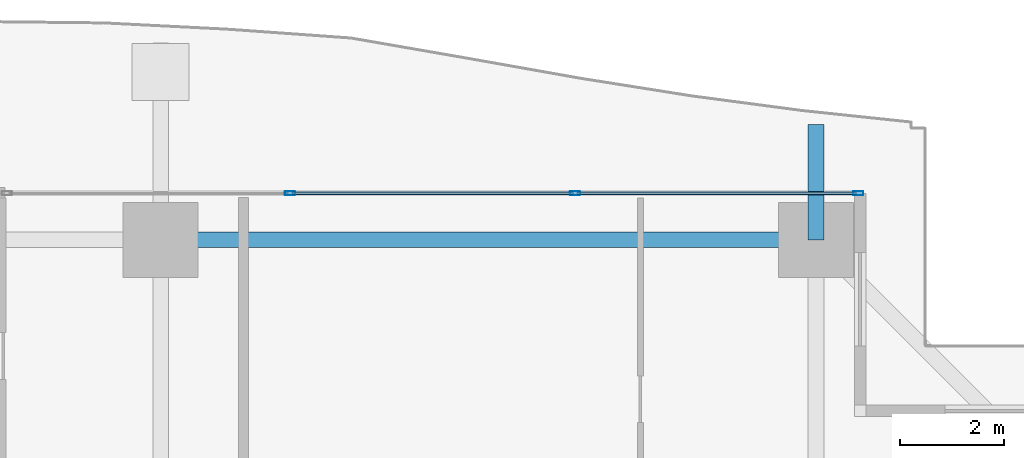
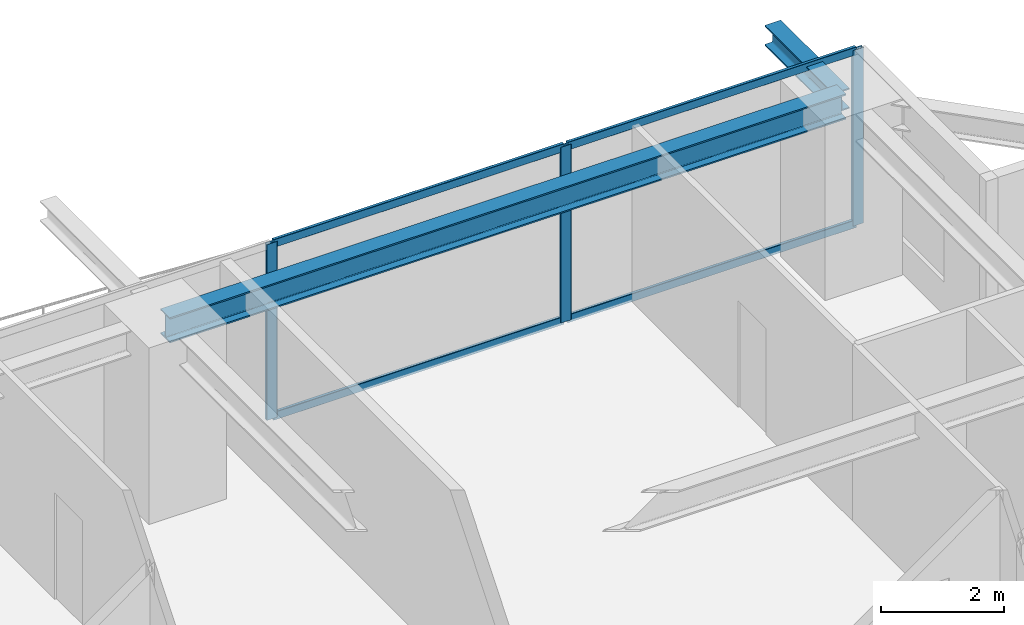
# One storey, part 24 of 38: 7 members, 2 beams, 1 element without a shape of its own.
"""IFC4 building model written with IfcOpenShell, lengths in metres."""

from ifc_helpers import new_model, si_unit, direction, frame, origin, origin_2d, place, context, subcontext, project, spatial, hollow_rectangle, i_section, extrude, source, transform, mapped, material, layer, layer_set, material_profile, profile_set, type_object, element, aggregate, save


model = new_model("IFC4")

# Units and contexts
model_context = context("Model", 3, precision=1e-05, world=origin(), true_north=direction((0.0, 1.0)))
body_context = subcontext(model_context, "Body", "Model", "MODEL_VIEW")
ifc_project = project(units=[si_unit("LENGTHUNIT", "METRE"), si_unit("AREAUNIT", "SQUARE_METRE"), si_unit("VOLUMEUNIT", "CUBIC_METRE"), si_unit("PLANEANGLEUNIT", "RADIAN"), si_unit("MASSUNIT", "GRAM", prefix="KILO")], contexts=[model_context])

# Site, building, storey
site_placement = place(None, origin())
site = spatial("IfcSite", under=ifc_project, at=site_placement, CompositionType="ELEMENT")
building_placement = place(site_placement, origin())
building = spatial("IfcBuilding", under=site, at=building_placement, Name="Serunith Strait Residences", CompositionType="ELEMENT")
storey_placement = place(building_placement, frame((0.0, 0.0, 30.449951171875)))
storey = spatial("IfcBuildingStorey", under=building, at=storey_placement, Name="L06", CompositionType="ELEMENT", Elevation=30.449951171875)

# Beams
ifc_material_1 = material(Name="Steel S355J2", Category="steel")
ifc_material_profile_1 = material_profile(ifc_material_1, i_section(OverallWidth=0.300048828125, OverallDepth=0.5, WebThickness=0.014404296875, FlangeThickness=0.028076171875, FilletRadius=0.027099609375, at=origin_2d()), Name="HEB 500")
ifc_profile_set_1 = profile_set([ifc_material_profile_1], Name="Steel S355J2")
beam_type_1 = type_object("IfcBeamType", Name="BM-HEB500", PredefinedType="BEAM", material=ifc_profile_set_1)
shared_shape_1 = source(origin(), body_context, "Body", "SweptSolid", [
    extrude(i_section(OverallWidth=0.300048828125, OverallDepth=0.5, WebThickness=0.014404296875, FlangeThickness=0.028076171875, FilletRadius=0.027099609375, at=origin_2d()), origin(), (0.0, 0.0, 1.0), 12.650146484375),
])
beam_1_placement = place(storey_placement, frame((49.550048828125, 49.300048828125, 3.237060546875), z_axis=(-1.0, 0.0, 0.0), x_axis=(0.0, -1.0, 0.0)))
element("IfcBeam", 1, at=beam_1_placement, inside=storey, type_object=beam_type_1, Name="L06 Perimeter Ring Beam 09", PredefinedType="BEAM", context=body_context, shape_type="MappedRepresentation", body=[
    mapped(shared_shape_1, transform((0.0, 0.0, 0.0), scale=1.0)),
])
ifc_material_profile_2 = material_profile(ifc_material_1, i_section(OverallWidth=0.300048828125, OverallDepth=0.39990234375, WebThickness=0.013427734375, FlangeThickness=0.02392578125, FilletRadius=0.027099609375, at=origin_2d()), Name="HEB 400")
ifc_profile_set_2 = profile_set([ifc_material_profile_2], Name="Steel S355J2")
beam_type_2 = type_object("IfcBeamType", Name="BM-HEB400", PredefinedType="BEAM", material=ifc_profile_set_2)
shared_shape_2 = source(origin(), body_context, "Body", "SweptSolid", [
    extrude(i_section(OverallWidth=0.300048828125, OverallDepth=0.39990234375, WebThickness=0.013427734375, FlangeThickness=0.02392578125, FilletRadius=0.027099609375, at=origin_2d()), origin(), (0.0, 0.0, 1.0), 2.2236328125),
])
beam_2_placement = place(storey_placement, frame((49.550048828125, 49.300048828125, 3.257080078125), z_axis=(0.0, 1.0, 0.0), x_axis=(-1.0, 0.0, 0.0)))
element("IfcBeam", 2, at=beam_2_placement, inside=storey, type_object=beam_type_2, Name="L07 Cantilevered Balcony Rib TC-N4", PredefinedType="BEAM", context=body_context, shape_type="MappedRepresentation", body=[
    mapped(shared_shape_2, transform((0.0, 0.0, 0.0), scale=1.0)),
])

# Curtain wall, members
ifc_material_2 = material(Name="Pale-Champagne Anodised Aluminium", Category="aluminium")
ifc_layer = layer(ifc_material_2, 0.199951171875, Name="Pale-Champagne Anodised Aluminium")
ifc_layer_set = layer_set([ifc_layer], Name="Pale-Champagne Anodised Aluminium")
curtain_wall_type = type_object("IfcCurtainWallType", Name="CW-SYS1", PredefinedType="NOTDEFINED", material=ifc_layer_set)
curtain_wall_placement = place(storey_placement, origin())
curtain_wall = element("IfcCurtainWall", 3, at=curtain_wall_placement, inside=storey, type_object=curtain_wall_type, Name="L06 N Unitised Fritted Curtain Wall", PredefinedType="NOTDEFINED")
ifc_material_profile_3 = material_profile(ifc_material_2, hollow_rectangle(XDim=0.070068359375, YDim=0.199951171875, WallThickness=0.00390625, InnerFilletRadius=0.006103515625, OuterFilletRadius=0.010009765625, at=origin_2d()), Name="ALU 200x70x4")
ifc_profile_set_3 = profile_set([ifc_material_profile_3], Name="Pale-Champagne Anodised Aluminium")
member_type_1 = type_object("IfcMemberType", Name="CW-SYS1-MULL", PredefinedType="MULLION", material=ifc_profile_set_3)
shared_shape_3 = source(origin(), body_context, "Body", "SweptSolid", [
    extrude(hollow_rectangle(XDim=0.070068359375, YDim=0.199951171875, WallThickness=0.00390625, InnerFilletRadius=0.006103515625, OuterFilletRadius=0.010009765625, at=origin_2d()), origin(), (0.0, 0.0, 1.0), 3.47509765625),
])
member_1_placement = place(storey_placement, frame((50.364990234375, 50.199951171875, 0.0), z_axis=(0.0, 0.0, 1.0), x_axis=(0.0, -1.0, 0.0)))
member_1 = element("IfcMember", 4, at=member_1_placement, type_object=member_type_1, Name="CW-1 mullion 1", PredefinedType="MULLION", context=body_context, shape_type="MappedRepresentation", body=[
    mapped(shared_shape_3, transform((0.0, 0.0, 0.0), scale=1.0)),
])
member_2_placement = place(storey_placement, frame((44.89990234375, 50.199951171875, 0.0), z_axis=(0.0, 0.0, 1.0), x_axis=(0.0, -1.0, 0.0)))
member_2 = element("IfcMember", 5, at=member_2_placement, type_object=member_type_1, Name="CW-1 mullion 2", PredefinedType="MULLION", context=body_context, shape_type="MappedRepresentation", body=[
    mapped(shared_shape_3, transform((0.0, 0.0, 0.0), scale=1.0)),
])
member_3_placement = place(storey_placement, frame((39.39990234375, 50.199951171875, 0.0), z_axis=(0.0, 0.0, 1.0), x_axis=(0.0, -1.0, 0.0)))
member_3 = element("IfcMember", 6, at=member_3_placement, type_object=member_type_1, Name="CW-1 mullion 3", PredefinedType="MULLION", context=body_context, shape_type="MappedRepresentation", body=[
    mapped(shared_shape_3, transform((0.0, 0.0, 0.0), scale=1.0)),
])
ifc_material_profile_4 = material_profile(ifc_material_2, hollow_rectangle(XDim=0.06005859375, YDim=0.159912109375, WallThickness=0.00341796875, InnerFilletRadius=0.00537109375, OuterFilletRadius=0.0087890625, at=origin_2d()), Name="ALU 160x60x3.5")
ifc_profile_set_4 = profile_set([ifc_material_profile_4], Name="Pale-Champagne Anodised Aluminium")
member_type_2 = type_object("IfcMemberType", Name="CW-SYS1-TRAN", PredefinedType="USERDEFINED", material=ifc_profile_set_4)
shared_shape_4 = source(origin(), body_context, "Body", "SweptSolid", [
    extrude(hollow_rectangle(XDim=0.06005859375, YDim=0.159912109375, WallThickness=0.00341796875, InnerFilletRadius=0.00537109375, OuterFilletRadius=0.0087890625, at=origin_2d()), origin(), (0.0, 0.0, 1.0), 5.39501953125),
])
member_4_placement = place(storey_placement, frame((50.330078125, 50.199951171875, 0.030029296875), z_axis=(-1.0, 0.0, 0.0), x_axis=(0.0, -1.0, 0.0)))
member_4 = element("IfcMember", 7, at=member_4_placement, type_object=member_type_2, Name="CW-1 transom 1.1", ObjectType="TRANSOM", PredefinedType="USERDEFINED", context=body_context, shape_type="MappedRepresentation", body=[
    mapped(shared_shape_4, transform((0.0, 0.0, 0.0), scale=1.0)),
])
member_5_placement = place(storey_placement, frame((50.330078125, 50.199951171875, 3.445068359375), z_axis=(-1.0, 0.0, 0.0), x_axis=(0.0, -1.0, 0.0)))
member_5 = element("IfcMember", 8, at=member_5_placement, type_object=member_type_2, Name="CW-1 transom 1.2", ObjectType="TRANSOM", PredefinedType="USERDEFINED", context=body_context, shape_type="MappedRepresentation", body=[
    mapped(shared_shape_4, transform((0.0, 0.0, 0.0), scale=1.0)),
])
shared_shape_5 = source(origin(), body_context, "Body", "SweptSolid", [
    extrude(hollow_rectangle(XDim=0.06005859375, YDim=0.159912109375, WallThickness=0.00341796875, InnerFilletRadius=0.00537109375, OuterFilletRadius=0.0087890625, at=origin_2d()), origin(), (0.0, 0.0, 1.0), 5.429931640625),
])
member_6_placement = place(storey_placement, frame((44.864990234375, 50.199951171875, 0.030029296875), z_axis=(-1.0, 0.0, 0.0), x_axis=(0.0, -1.0, 0.0)))
member_6 = element("IfcMember", 9, at=member_6_placement, type_object=member_type_2, Name="CW-1 transom 2.1", ObjectType="TRANSOM", PredefinedType="USERDEFINED", context=body_context, shape_type="MappedRepresentation", body=[
    mapped(shared_shape_5, transform((0.0, 0.0, 0.0), scale=1.0)),
])
member_7_placement = place(storey_placement, frame((44.864990234375, 50.199951171875, 3.445068359375), z_axis=(-1.0, 0.0, 0.0), x_axis=(0.0, -1.0, 0.0)))
member_7 = element("IfcMember", 10, at=member_7_placement, type_object=member_type_2, Name="CW-1 transom 2.2", ObjectType="TRANSOM", PredefinedType="USERDEFINED", context=body_context, shape_type="MappedRepresentation", body=[
    mapped(shared_shape_5, transform((0.0, 0.0, 0.0), scale=1.0)),
])
aggregate(curtain_wall, [member_1, member_2, member_3, member_4, member_5, member_6, member_7])

save(model, "model.ifc")
